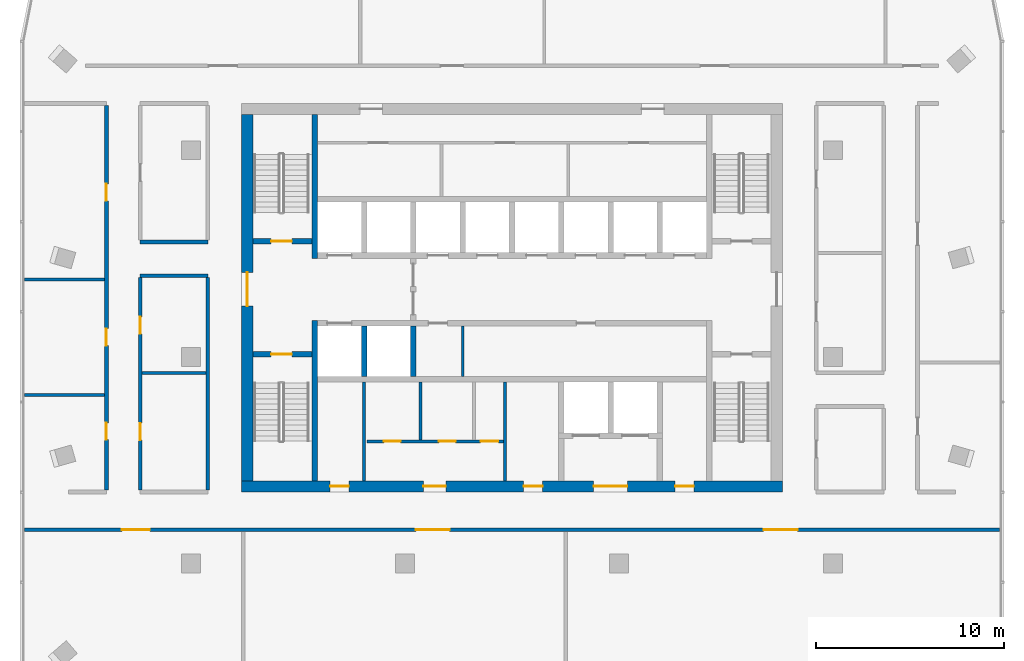
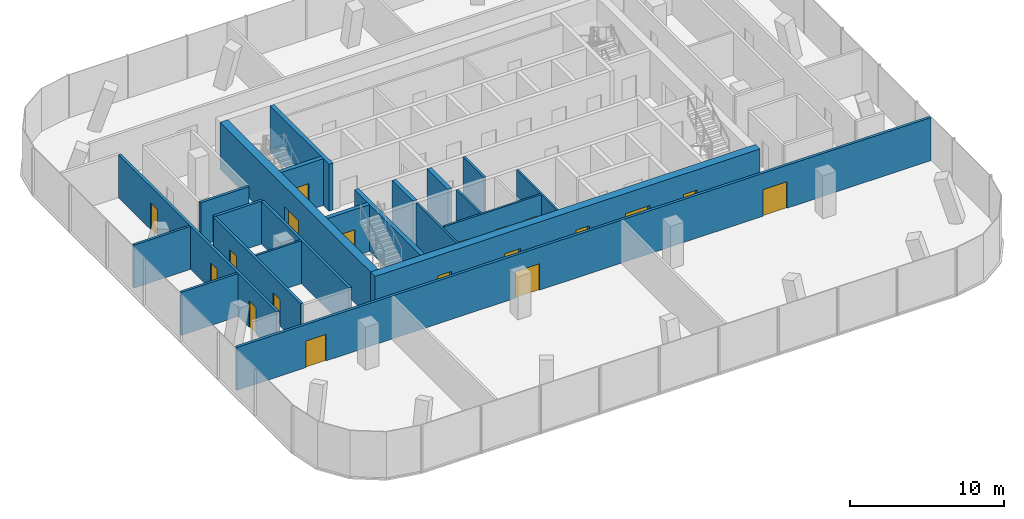
# One storey, part 7 of 11: 22 walls, 19 doors, 19 openings.
"""IFC4 building model written with IfcOpenShell, lengths in metres."""

from ifc_helpers import new_model, si_unit, direction, frame, frame_2d, origin, place, context, subcontext, project, spatial, rectangle, extrude, material, layer, layer_set, type_object, element, fill, save


model = new_model("IFC4")

# Units and contexts
model_context = context("Model", 3, precision=1e-05, world=origin(), true_north=direction((0.0, 1.0)))
body_context = subcontext(model_context, "Body", "Model", "MODEL_VIEW")
ifc_project = project(units=[si_unit("LENGTHUNIT", "METRE"), si_unit("AREAUNIT", "SQUARE_METRE"), si_unit("VOLUMEUNIT", "CUBIC_METRE"), si_unit("PLANEANGLEUNIT", "RADIAN"), si_unit("MASSUNIT", "GRAM", prefix="KILO")], contexts=[model_context])

# Site, building, storey
site_placement = place(None, origin())
site = spatial("IfcSite", under=ifc_project, at=site_placement, CompositionType="ELEMENT")
building_placement = place(site_placement, origin())
building = spatial("IfcBuilding", under=site, at=building_placement, Name="Mopane Tessera Tower", CompositionType="ELEMENT")
storey_placement = place(building_placement, frame((0.0, 0.0, 333.39990234375)))
storey = spatial("IfcBuildingStorey", under=building, at=storey_placement, Name="L73", CompositionType="ELEMENT", Elevation=333.39990234375)

# Wall
ifc_material_1 = material(Name="Fire-rated gypsum board partition")
ifc_layer_1 = layer(ifc_material_1, 0.14990234375)
ifc_layer_set_1 = layer_set([ifc_layer_1], Name="Fire-rated gypsum board partition")
wall_type_1 = type_object("IfcWallType", Name="Core room partition 150 mm", PredefinedType="PARTITIONING", material=ifc_layer_set_1)
wall_1_placement = place(storey_placement, frame((-7.875, -6.60009765625, 0.0), z_axis=(0.0, 0.0, 1.0), x_axis=(0.0, 1.0, 0.0)))
element("IfcWall", 1, at=wall_1_placement, inside=storey, type_object=wall_type_1, Name="L73 Room partition", PredefinedType="PARTITIONING", context=body_context, shape_type="SweptSolid", body=[
    extrude(rectangle(XDim=5.25, YDim=0.14990234375, at=frame_2d((2.625, 0.0))), origin(), (0.0, 0.0, 1.0), 3.7001953125),
])

# Wall, openings, doors
wall_2_placement = place(storey_placement, frame((-7.72509765625, -4.5, 0.0), z_axis=(0.0, 0.0, 1.0), x_axis=(1.0, 0.0, 0.0)))
wall_2 = element("IfcWall", 2, at=wall_2_placement, inside=storey, type_object=wall_type_1, Name="L73 WC partition", PredefinedType="PARTITIONING", context=body_context, shape_type="SweptSolid", body=[
    extrude(rectangle(XDim=7.275146484375, YDim=0.14990234375, at=frame_2d((3.6376953125, 0.0))), origin(), (0.0, 0.0, 1.0), 3.7001953125),
])
opening_1_placement = place(wall_2_placement, frame((0.89990234375, 0.0, 0.0)))
opening_1 = element("IfcOpeningElement", 3, at=opening_1_placement, cuts=wall_2, Name="Opening WD1", PredefinedType="OPENING", context=body_context, shape_type="SweptSolid", body=[
    extrude(rectangle(XDim=0.89990234375, YDim=2.10009765625, at=frame_2d((0.449951171875, 1.050048828125))), frame((0.0, 0.0869140625, 0.0), z_axis=(0.0, -1.0, 0.0), x_axis=(1.0, 0.0, 0.0)), (0.0, 0.0, 1.0), 0.173828125),
])
opening_2_placement = place(wall_2_placement, frame((3.824951171875, 0.0, 0.0)))
opening_2 = element("IfcOpeningElement", 4, at=opening_2_placement, cuts=wall_2, Name="Opening WD1", PredefinedType="OPENING", context=body_context, shape_type="SweptSolid", body=[
    extrude(rectangle(XDim=0.89990234375, YDim=2.10009765625, at=frame_2d((0.449951171875, 1.050048828125))), frame((0.0, 0.0869140625, 0.0), z_axis=(0.0, -1.0, 0.0), x_axis=(1.0, 0.0, 0.0)), (0.0, 0.0, 1.0), 0.173828125),
])
opening_3_placement = place(wall_2_placement, frame((6.050048828125, 0.0, 0.0)))
opening_3 = element("IfcOpeningElement", 5, at=opening_3_placement, cuts=wall_2, Name="Opening WD2", PredefinedType="OPENING", context=body_context, shape_type="SweptSolid", body=[
    extrude(rectangle(XDim=0.949951171875, YDim=2.10009765625, at=frame_2d((0.47509765625, 1.050048828125))), frame((0.0, 0.0869140625, 0.0), z_axis=(0.0, -1.0, 0.0), x_axis=(1.0, 0.0, 0.0)), (0.0, 0.0, 1.0), 0.173828125),
])
ifc_material_2 = material(Name="Timber door", Category="wood")
door_type_1 = type_object("IfcDoorType", Name="Accessible WC door 950 x 2100", OperationType="SINGLE_SWING_LEFT", PredefinedType="DOOR", material=ifc_material_2)
door_1_placement = place(opening_3_placement, origin())
door_1 = element("IfcDoor", 6, at=door_1_placement, inside=storey, type_object=door_type_1, Name="L73 Accessible WC door", OperationType="SINGLE_SWING_LEFT", OverallHeight=2.10009765625, OverallWidth=0.949951171875, PredefinedType="DOOR", context=body_context, shape_type="SweptSolid", body=[
    extrude(rectangle(XDim=0.949951171875, YDim=2.10009765625, at=frame_2d((0.47509765625, 1.050048828125))), frame((0.0, 0.02490234375, 0.0), z_axis=(0.0, -1.0, 0.0), x_axis=(1.0, 0.0, 0.0)), (0.0, 0.0, 1.0), 0.050048828125),
])
fill(opening_3, door_1)
ifc_material_3 = material(Name="Timber door", Category="wood")
door_type_2 = type_object("IfcDoorType", Name="WC cubicle door 900 x 2100", OperationType="SINGLE_SWING_LEFT", PredefinedType="DOOR", material=ifc_material_3)
door_2_placement = place(opening_1_placement, origin())
door_2 = element("IfcDoor", 7, at=door_2_placement, inside=storey, type_object=door_type_2, Name="L73 Men's WC door", OperationType="SINGLE_SWING_LEFT", OverallHeight=2.10009765625, OverallWidth=0.89990234375, PredefinedType="DOOR", context=body_context, shape_type="SweptSolid", body=[
    extrude(rectangle(XDim=0.89990234375, YDim=2.10009765625, at=frame_2d((0.449951171875, 1.050048828125))), frame((0.0, 0.02490234375, 0.0), z_axis=(0.0, -1.0, 0.0), x_axis=(1.0, 0.0, 0.0)), (0.0, 0.0, 1.0), 0.050048828125),
])
fill(opening_1, door_2)
door_3_placement = place(opening_2_placement, origin())
door_3 = element("IfcDoor", 8, at=door_3_placement, inside=storey, type_object=door_type_2, Name="L73 Women's WC door", OperationType="SINGLE_SWING_LEFT", OverallHeight=2.10009765625, OverallWidth=0.89990234375, PredefinedType="DOOR", context=body_context, shape_type="SweptSolid", body=[
    extrude(rectangle(XDim=0.89990234375, YDim=2.10009765625, at=frame_2d((0.449951171875, 1.050048828125))), frame((0.0, 0.02490234375, 0.0), z_axis=(0.0, -1.0, 0.0), x_axis=(1.0, 0.0, 0.0)), (0.0, 0.0, 1.0), 0.050048828125),
])
fill(opening_2, door_3)

# Walls
wall_3_placement = place(storey_placement, frame((-4.875, -4.425048828125, 0.0), z_axis=(0.0, 0.0, 1.0), x_axis=(0.0, 1.0, 0.0)))
element("IfcWall", 9, at=wall_3_placement, inside=storey, type_object=wall_type_1, Name="L73 WC partition", PredefinedType="PARTITIONING", context=body_context, shape_type="SweptSolid", body=[
    extrude(rectangle(XDim=3.074951171875, YDim=0.14990234375, at=frame_2d((1.53759765625, 0.0))), origin(), (0.0, 0.0, 1.0), 3.7001953125),
])
wall_4_placement = place(storey_placement, frame((-0.375, -6.60009765625, 0.0), z_axis=(0.0, 0.0, 1.0), x_axis=(0.0, 1.0, 0.0)))
element("IfcWall", 10, at=wall_4_placement, inside=storey, type_object=wall_type_1, Name="L73 Room partition", PredefinedType="PARTITIONING", context=body_context, shape_type="SweptSolid", body=[
    extrude(rectangle(XDim=5.25, YDim=0.14990234375, at=frame_2d((2.625, 0.0))), origin(), (0.0, 0.0, 1.0), 3.7001953125),
])
wall_5_placement = place(storey_placement, frame((-2.625, -1.050048828125, 0.0), z_axis=(0.0, 0.0, 1.0), x_axis=(0.0, 1.0, 0.0)))
element("IfcWall", 11, at=wall_5_placement, inside=storey, type_object=wall_type_1, Name="L73 Room partition", PredefinedType="PARTITIONING", context=body_context, shape_type="SweptSolid", body=[
    extrude(rectangle(XDim=2.699951171875, YDim=0.14990234375, at=frame_2d((1.35009765625, 0.0))), origin(), (0.0, 0.0, 1.0), 3.7001953125),
])

# Wall, openings, doors
ifc_material_4 = material(Name="Concrete C70/85", Category="concrete")
ifc_layer_2 = layer(ifc_material_4, 0.60009765625)
ifc_layer_set_2 = layer_set([ifc_layer_2], Name="Concrete C70/85")
wall_type_2 = type_object("IfcWallType", Name="Core shear wall 600 mm", PredefinedType="SHEAR", material=ifc_layer_set_2)
wall_6_placement = place(storey_placement, frame((-14.39990234375, -6.89990234375, 0.0), z_axis=(0.0, 0.0, 1.0), x_axis=(1.0, 0.0, 0.0)))
wall_6 = element("IfcWall", 12, at=wall_6_placement, inside=storey, type_object=wall_type_2, Name="L73 Core wall south", PredefinedType="SHEAR", context=body_context, shape_type="SweptSolid", body=[
    extrude(rectangle(XDim=28.7998046875, YDim=0.60009765625, at=frame_2d((14.39990234375, 0.0))), origin(), (0.0, 0.0, 1.0), 3.7001953125),
])
opening_4_placement = place(wall_6_placement, frame((4.71240234375, 0.0, 0.0)))
opening_4 = element("IfcOpeningElement", 13, at=opening_4_placement, cuts=wall_6, Name="Opening RD1", PredefinedType="OPENING", context=body_context, shape_type="SweptSolid", body=[
    extrude(rectangle(XDim=1.0, YDim=2.10009765625, at=frame_2d((0.5, 1.050048828125))), frame((0.0, 0.31201171875, 0.0), z_axis=(0.0, -1.0, 0.0), x_axis=(1.0, 0.0, 0.0)), (0.0, 0.0, 1.0), 0.6240234375),
])
opening_5_placement = place(wall_6_placement, frame((9.675048828125, 0.0, 0.0)))
opening_5 = element("IfcOpeningElement", 14, at=opening_5_placement, cuts=wall_6, Name="Opening WD3", PredefinedType="OPENING", context=body_context, shape_type="SweptSolid", body=[
    extrude(rectangle(XDim=1.199951171875, YDim=2.10009765625, at=frame_2d((0.60009765625, 1.050048828125))), frame((0.0, 0.31201171875, 0.0), z_axis=(0.0, -1.0, 0.0), x_axis=(1.0, 0.0, 0.0)), (0.0, 0.0, 1.0), 0.6240234375),
])
opening_6_placement = place(wall_6_placement, frame((15.02490234375, 0.0, 0.0)))
opening_6 = element("IfcOpeningElement", 15, at=opening_6_placement, cuts=wall_6, Name="Opening RD1", PredefinedType="OPENING", context=body_context, shape_type="SweptSolid", body=[
    extrude(rectangle(XDim=1.0, YDim=2.10009765625, at=frame_2d((0.5, 1.050048828125))), frame((0.0, 0.31201171875, 0.0), z_axis=(0.0, -1.0, 0.0), x_axis=(1.0, 0.0, 0.0)), (0.0, 0.0, 1.0), 0.6240234375),
])
opening_7_placement = place(wall_6_placement, frame((18.75, 0.0, 0.0)))
opening_7 = element("IfcOpeningElement", 16, at=opening_7_placement, cuts=wall_6, Name="Opening SD2", PredefinedType="OPENING", context=body_context, shape_type="SweptSolid", body=[
    extrude(rectangle(XDim=1.800048828125, YDim=2.10009765625, at=frame_2d((0.89990234375, 1.050048828125))), frame((0.0, 0.31201171875, 0.0), z_axis=(0.0, -1.0, 0.0), x_axis=(1.0, 0.0, 0.0)), (0.0, 0.0, 1.0), 0.6240234375),
])
opening_8_placement = place(wall_6_placement, frame((23.08740234375, 0.0, 0.0)))
opening_8 = element("IfcOpeningElement", 17, at=opening_8_placement, cuts=wall_6, Name="Opening RD1", PredefinedType="OPENING", context=body_context, shape_type="SweptSolid", body=[
    extrude(rectangle(XDim=1.0, YDim=2.10009765625, at=frame_2d((0.5, 1.050048828125))), frame((0.0, 0.31201171875, 0.0), z_axis=(0.0, -1.0, 0.0), x_axis=(1.0, 0.0, 0.0)), (0.0, 0.0, 1.0), 0.6240234375),
])
ifc_material_5 = material(Name="Steel fire door", Category="steel")
door_type_3 = type_object("IfcDoorType", Name="Core entrance double door 1800 x 2100", OperationType="DOUBLE_DOOR_SINGLE_SWING", PredefinedType="DOOR", material=ifc_material_5)
door_4_placement = place(opening_7_placement, origin())
door_4 = element("IfcDoor", 18, at=door_4_placement, inside=storey, type_object=door_type_3, Name="L73 Service lobby door", OperationType="DOUBLE_DOOR_SINGLE_SWING", OverallHeight=2.10009765625, OverallWidth=1.800048828125, PredefinedType="DOOR", context=body_context, shape_type="SweptSolid", body=[
    extrude(rectangle(XDim=1.800048828125, YDim=2.10009765625, at=frame_2d((0.89990234375, 1.050048828125))), frame((0.0, 0.02490234375, 0.0), z_axis=(0.0, -1.0, 0.0), x_axis=(1.0, 0.0, 0.0)), (0.0, 0.0, 1.0), 0.050048828125),
])
fill(opening_7, door_4)
ifc_material_6 = material(Name="Timber door", Category="wood")
door_type_4 = type_object("IfcDoorType", Name="Core room door 1000 x 2100", OperationType="SINGLE_SWING_LEFT", PredefinedType="DOOR", material=ifc_material_6)
door_5_placement = place(opening_4_placement, origin())
door_5 = element("IfcDoor", 19, at=door_5_placement, inside=storey, type_object=door_type_4, Name="L73 Room door", OperationType="SINGLE_SWING_LEFT", OverallHeight=2.10009765625, OverallWidth=1.0, PredefinedType="DOOR", context=body_context, shape_type="SweptSolid", body=[
    extrude(rectangle(XDim=1.0, YDim=2.10009765625, at=frame_2d((0.5, 1.050048828125))), frame((0.0, 0.02490234375, 0.0), z_axis=(0.0, -1.0, 0.0), x_axis=(1.0, 0.0, 0.0)), (0.0, 0.0, 1.0), 0.050048828125),
])
fill(opening_4, door_5)
door_6_placement = place(opening_6_placement, origin())
door_6 = element("IfcDoor", 20, at=door_6_placement, inside=storey, type_object=door_type_4, Name="L73 Room door", OperationType="SINGLE_SWING_LEFT", OverallHeight=2.10009765625, OverallWidth=1.0, PredefinedType="DOOR", context=body_context, shape_type="SweptSolid", body=[
    extrude(rectangle(XDim=1.0, YDim=2.10009765625, at=frame_2d((0.5, 1.050048828125))), frame((0.0, 0.02490234375, 0.0), z_axis=(0.0, -1.0, 0.0), x_axis=(1.0, 0.0, 0.0)), (0.0, 0.0, 1.0), 0.050048828125),
])
fill(opening_6, door_6)
door_7_placement = place(opening_8_placement, origin())
door_7 = element("IfcDoor", 21, at=door_7_placement, inside=storey, type_object=door_type_4, Name="L73 Room door", OperationType="SINGLE_SWING_LEFT", OverallHeight=2.10009765625, OverallWidth=1.0, PredefinedType="DOOR", context=body_context, shape_type="SweptSolid", body=[
    extrude(rectangle(XDim=1.0, YDim=2.10009765625, at=frame_2d((0.5, 1.050048828125))), frame((0.0, 0.02490234375, 0.0), z_axis=(0.0, -1.0, 0.0), x_axis=(1.0, 0.0, 0.0)), (0.0, 0.0, 1.0), 0.050048828125),
])
fill(opening_8, door_7)
ifc_material_7 = material(Name="Timber door", Category="wood")
door_type_5 = type_object("IfcDoorType", Name="WC lobby door 1200 x 2100", OperationType="SINGLE_SWING_LEFT", PredefinedType="DOOR", material=ifc_material_7)
door_8_placement = place(opening_5_placement, origin())
door_8 = element("IfcDoor", 22, at=door_8_placement, inside=storey, type_object=door_type_5, Name="L73 WC lobby door", OperationType="SINGLE_SWING_LEFT", OverallHeight=2.10009765625, OverallWidth=1.199951171875, PredefinedType="DOOR", context=body_context, shape_type="SweptSolid", body=[
    extrude(rectangle(XDim=1.199951171875, YDim=2.10009765625, at=frame_2d((0.60009765625, 1.050048828125))), frame((0.0, 0.02490234375, 0.0), z_axis=(0.0, -1.0, 0.0), x_axis=(1.0, 0.0, 0.0)), (0.0, 0.0, 1.0), 0.050048828125),
])
fill(opening_5, door_8)

# Wall, opening, door
wall_7_placement = place(storey_placement, frame((-14.10009765625, -6.60009765625, 0.0), z_axis=(0.0, 0.0, 1.0), x_axis=(0.0, 1.0, 0.0)))
wall_7 = element("IfcWall", 23, at=wall_7_placement, inside=storey, type_object=wall_type_2, Name="L73 Core wall west", PredefinedType="SHEAR", context=body_context, shape_type="SweptSolid", body=[
    extrude(rectangle(XDim=19.5, YDim=0.60009765625, at=frame_2d((9.75, 0.0))), origin(), (0.0, 0.0, 1.0), 3.7001953125),
])
opening_9_placement = place(wall_7_placement, frame((9.300048828125, 0.0, 0.0)))
opening_9 = element("IfcOpeningElement", 24, at=opening_9_placement, cuts=wall_7, Name="Opening SD2", PredefinedType="OPENING", context=body_context, shape_type="SweptSolid", body=[
    extrude(rectangle(XDim=1.800048828125, YDim=2.10009765625, at=frame_2d((0.89990234375, 1.050048828125))), frame((0.0, 0.31201171875, 0.0), z_axis=(0.0, -1.0, 0.0), x_axis=(1.0, 0.0, 0.0)), (0.0, 0.0, 1.0), 0.6240234375),
])
door_9_placement = place(opening_9_placement, origin())
door_9 = element("IfcDoor", 25, at=door_9_placement, inside=storey, type_object=door_type_3, Name="L73 Core entrance door west", OperationType="DOUBLE_DOOR_SINGLE_SWING", OverallHeight=2.10009765625, OverallWidth=1.800048828125, PredefinedType="DOOR", context=body_context, shape_type="SweptSolid", body=[
    extrude(rectangle(XDim=1.800048828125, YDim=2.10009765625, at=frame_2d((0.89990234375, 1.050048828125))), frame((0.0, 0.02490234375, 0.0), z_axis=(0.0, -1.0, 0.0), x_axis=(1.0, 0.0, 0.0)), (0.0, 0.0, 1.0), 0.050048828125),
])
fill(opening_9, door_9)

# Walls
ifc_material_8 = material(Name="Concrete C60/75", Category="concrete")
ifc_layer_3 = layer(ifc_material_8, 0.300048828125)
ifc_layer_set_3 = layer_set([ifc_layer_3], Name="Concrete C60/75")
wall_type_3 = type_object("IfcWallType", Name="Core spine wall 300 mm", PredefinedType="SHEAR", material=ifc_layer_set_3)
wall_8_placement = place(storey_placement, frame((-10.5, -6.60009765625, 0.0), z_axis=(0.0, 0.0, 1.0), x_axis=(0.0, 1.0, 0.0)))
element("IfcWall", 26, at=wall_8_placement, inside=storey, type_object=wall_type_3, Name="L73 Core spine wall", PredefinedType="SHEAR", context=body_context, shape_type="SweptSolid", body=[
    extrude(rectangle(XDim=8.550048828125, YDim=0.300048828125, at=frame_2d((4.27490234375, 0.0))), origin(), (0.0, 0.0, 1.0), 3.7001953125),
])
wall_9_placement = place(storey_placement, frame((-10.5, 5.25, 0.0), z_axis=(0.0, 0.0, 1.0), x_axis=(0.0, 1.0, 0.0)))
element("IfcWall", 27, at=wall_9_placement, inside=storey, type_object=wall_type_3, Name="L73 Core spine wall", PredefinedType="SHEAR", context=body_context, shape_type="SweptSolid", body=[
    extrude(rectangle(XDim=7.64990234375, YDim=0.300048828125, at=frame_2d((3.824951171875, 0.0))), origin(), (0.0, 0.0, 1.0), 3.7001953125),
])
ifc_material_9 = material(Name="Gypsum board on staggered steel studs, double layer each face, acoustic mineral wool infill", Category="steel")
ifc_layer_4 = layer(ifc_material_9, 0.175048828125)
ifc_layer_set_4 = layer_set([ifc_layer_4], Name="Gypsum board on staggered steel studs, double layer each face, acoustic mineral wool infill")
wall_type_4 = type_object("IfcWallType", Name="Gypsum board acoustic partition 175, rated EI 60", PredefinedType="PARTITIONING", material=ifc_layer_set_4)
for number, where, z_axis, x_axis, name in (
    (28, (-25.949951171875, -2.02490234375, 0.0), (0.0, 0.0, 1.0), (1.0, 0.0, 0.0), "Partition L73:006"),
    (29, (-25.949951171875, 4.125, 0.0), (0.0, 0.0, 1.0), (1.0, 0.0, 0.0), "Partition L73:010"),
):
    element("IfcWall", number, at=place(storey_placement, frame(where, z_axis=z_axis, x_axis=x_axis)), inside=storey, type_object=wall_type_4, Name=name, PredefinedType="PARTITIONING", context=body_context, shape_type="SweptSolid", body=[
        extrude(rectangle(XDim=4.25, YDim=0.175048828125, at=frame_2d((2.125, 0.0))), origin(), (0.0, 0.0, 1.0), 3.400146484375),
    ])

# Wall, openings, doors
ifc_material_10 = material(Name="Gypsum board on steel studs, two layers each face, mineral wool infill", Category="steel")
ifc_layer_5 = layer(ifc_material_10, 0.199951171875)
ifc_layer_set_5 = layer_set([ifc_layer_5], Name="Gypsum board on steel studs, two layers each face, mineral wool infill")
wall_type_5 = type_object("IfcWallType", Name="Gypsum board corridor wall 200, rated EI 60", PredefinedType="PARTITIONING", material=ifc_layer_set_5)
wall_10_placement = place(storey_placement, frame((-25.949951171875, -9.199951171875, 0.0), z_axis=(0.0, 0.0, 1.0), x_axis=(1.0, 0.0, 0.0)))
wall_10 = element("IfcWall", 30, at=wall_10_placement, inside=storey, type_object=wall_type_5, Name="Partition L73:000", PredefinedType="PARTITIONING", context=body_context, shape_type="SweptSolid", body=[
    extrude(rectangle(XDim=51.89990234375, YDim=0.199951171875, at=frame_2d((25.949951171875, 0.0))), origin(), (0.0, 0.0, 1.0), 3.400146484375),
])
opening_10_placement = place(wall_10_placement, frame((39.35498046875, 0.0, 0.0)))
opening_10 = element("IfcOpeningElement", 31, at=opening_10_placement, cuts=wall_10, Name="Opening L73-07", PredefinedType="OPENING", context=body_context, shape_type="SweptSolid", body=[
    extrude(rectangle(XDim=1.800048828125, YDim=2.10009765625, at=frame_2d((0.89990234375, 1.050048828125))), frame((0.0, 0.112060546875, 0.0), z_axis=(0.0, -1.0, 0.0), x_axis=(1.0, 0.0, 0.0)), (0.0, 0.0, 1.0), 0.223876953125),
])
opening_11_placement = place(wall_10_placement, frame((5.172607421875, 0.0, 0.0)))
opening_11 = element("IfcOpeningElement", 32, at=opening_11_placement, cuts=wall_10, Name="Opening L73-14", PredefinedType="OPENING", context=body_context, shape_type="SweptSolid", body=[
    extrude(rectangle(XDim=1.5, YDim=2.10009765625, at=frame_2d((0.75, 1.050048828125))), frame((0.0, 0.112060546875, 0.0), z_axis=(0.0, -1.0, 0.0), x_axis=(1.0, 0.0, 0.0)), (0.0, 0.0, 1.0), 0.223876953125),
])
opening_12_placement = place(wall_10_placement, frame((20.827392578125, 0.0, 0.0)))
opening_12 = element("IfcOpeningElement", 33, at=opening_12_placement, cuts=wall_10, Name="Opening L73-18", PredefinedType="OPENING", context=body_context, shape_type="SweptSolid", body=[
    extrude(rectangle(XDim=1.800048828125, YDim=2.10009765625, at=frame_2d((0.89990234375, 1.050048828125))), frame((0.0, 0.112060546875, 0.0), z_axis=(0.0, -1.0, 0.0), x_axis=(1.0, 0.0, 0.0)), (0.0, 0.0, 1.0), 0.223876953125),
])
ifc_material_11 = material(Name="Timber veneered steel-framed fire door", Category="steel")
door_type_6 = type_object("IfcDoorType", Name="Fire door pair FD60 1500 x 2100", OperationType="DOUBLE_DOOR_SINGLE_SWING", PredefinedType="DOOR", material=ifc_material_11)
door_10_placement = place(opening_11_placement, origin())
door_10 = element("IfcDoor", 34, at=door_10_placement, inside=storey, type_object=door_type_6, Name="Door L73-14", ObjectType="D17A", OperationType="DOUBLE_DOOR_SINGLE_SWING", OverallHeight=2.10009765625, OverallWidth=1.5, PredefinedType="DOOR", context=body_context, shape_type="SweptSolid", body=[
    extrude(rectangle(XDim=1.5, YDim=2.10009765625, at=frame_2d((0.75, 1.050048828125))), frame((0.0, 0.02490234375, 0.0), z_axis=(0.0, -1.0, 0.0), x_axis=(1.0, 0.0, 0.0)), (0.0, 0.0, 1.0), 0.050048828125),
])
fill(opening_11, door_10)
ifc_material_12 = material(Name="Timber veneered steel-framed fire door", Category="steel")
door_type_7 = type_object("IfcDoorType", Name="Fire door pair FD60 1800 x 2100", OperationType="DOUBLE_DOOR_SINGLE_SWING", PredefinedType="DOOR", material=ifc_material_12)
door_11_placement = place(opening_10_placement, origin())
door_11 = element("IfcDoor", 35, at=door_11_placement, inside=storey, type_object=door_type_7, Name="Door L73-07", ObjectType="D20A", OperationType="DOUBLE_DOOR_SINGLE_SWING", OverallHeight=2.10009765625, OverallWidth=1.800048828125, PredefinedType="DOOR", context=body_context, shape_type="SweptSolid", body=[
    extrude(rectangle(XDim=1.800048828125, YDim=2.10009765625, at=frame_2d((0.89990234375, 1.050048828125))), frame((0.0, 0.02490234375, 0.0), z_axis=(0.0, -1.0, 0.0), x_axis=(1.0, 0.0, 0.0)), (0.0, 0.0, 1.0), 0.050048828125),
])
fill(opening_10, door_11)
door_12_placement = place(opening_12_placement, origin())
door_12 = element("IfcDoor", 36, at=door_12_placement, inside=storey, type_object=door_type_7, Name="Door L73-18", ObjectType="D20A", OperationType="DOUBLE_DOOR_SINGLE_SWING", OverallHeight=2.10009765625, OverallWidth=1.800048828125, PredefinedType="DOOR", context=body_context, shape_type="SweptSolid", body=[
    extrude(rectangle(XDim=1.800048828125, YDim=2.10009765625, at=frame_2d((0.89990234375, 1.050048828125))), frame((0.0, 0.02490234375, 0.0), z_axis=(0.0, -1.0, 0.0), x_axis=(1.0, 0.0, 0.0)), (0.0, 0.0, 1.0), 0.050048828125),
])
fill(opening_12, door_12)

# Walls
for number, where, z_axis, x_axis, name in (
    (37, (-19.800048828125, 4.320068359375, 0.0), (0.0, 0.0, 1.0), (1.0, 0.0, 0.0), "Partition L73:011"),
    (38, (-19.800048828125, 6.1201171875, 0.0), (0.0, 0.0, 1.0), (1.0, 0.0, 0.0), "Partition L73:013"),
):
    element("IfcWall", number, at=place(storey_placement, frame(where, z_axis=z_axis, x_axis=x_axis)), inside=storey, type_object=wall_type_5, Name=name, PredefinedType="PARTITIONING", context=body_context, shape_type="SweptSolid", body=[
        extrude(rectangle(XDim=3.60009765625, YDim=0.199951171875, at=frame_2d((1.800048828125, 0.0))), origin(), (0.0, 0.0, 1.0), 3.400146484375),
    ])

# Wall, openings, doors
wall_11_placement = place(storey_placement, frame((-21.60009765625, -7.10009765625, 0.0), z_axis=(0.0, 0.0, 1.0), x_axis=(0.0, 1.0, 0.0)))
wall_11 = element("IfcWall", 39, at=wall_11_placement, inside=storey, type_object=wall_type_5, Name="Partition L73:019", PredefinedType="PARTITIONING", context=body_context, shape_type="SweptSolid", body=[
    extrude(rectangle(XDim=20.5, YDim=0.199951171875, at=frame_2d((10.25, 0.0))), origin(), (0.0, 0.0, 1.0), 3.400146484375),
])
opening_13_placement = place(wall_11_placement, frame((15.41259765625, 0.0, 0.0)))
opening_13 = element("IfcOpeningElement", 40, at=opening_13_placement, cuts=wall_11, Name="Opening L73-06", PredefinedType="OPENING", context=body_context, shape_type="SweptSolid", body=[
    extrude(rectangle(XDim=0.89990234375, YDim=2.10009765625, at=frame_2d((0.449951171875, 1.050048828125))), frame((0.0, 0.112060546875, 0.0), z_axis=(0.0, -1.0, 0.0), x_axis=(1.0, 0.0, 0.0)), (0.0, 0.0, 1.0), 0.223876953125),
])
opening_14_placement = place(wall_11_placement, frame((2.6875, 0.0, 0.0)))
opening_14 = element("IfcOpeningElement", 41, at=opening_14_placement, cuts=wall_11, Name="Opening L73-13", PredefinedType="OPENING", context=body_context, shape_type="SweptSolid", body=[
    extrude(rectangle(XDim=0.89990234375, YDim=2.10009765625, at=frame_2d((0.449951171875, 1.050048828125))), frame((0.0, 0.112060546875, 0.0), z_axis=(0.0, -1.0, 0.0), x_axis=(1.0, 0.0, 0.0)), (0.0, 0.0, 1.0), 0.223876953125),
])
opening_15_placement = place(wall_11_placement, frame((7.699951171875, 0.0, 0.0)))
opening_15 = element("IfcOpeningElement", 42, at=opening_15_placement, cuts=wall_11, Name="Opening L73-16", PredefinedType="OPENING", context=body_context, shape_type="SweptSolid", body=[
    extrude(rectangle(XDim=0.89990234375, YDim=2.10009765625, at=frame_2d((0.449951171875, 1.050048828125))), frame((0.0, 0.112060546875, 0.0), z_axis=(0.0, -1.0, 0.0), x_axis=(1.0, 0.0, 0.0)), (0.0, 0.0, 1.0), 0.223876953125),
])
ifc_material_13 = material(Name="Timber veneered steel-framed fire door", Category="steel")
door_type_8 = type_object("IfcDoorType", Name="Fire door FD60 900 x 2100", OperationType="SINGLE_SWING_LEFT", PredefinedType="DOOR", material=ifc_material_13)
door_13_placement = place(opening_13_placement, origin())
door_13 = element("IfcDoor", 43, at=door_13_placement, inside=storey, type_object=door_type_8, Name="Door L73-06", ObjectType="D10A", OperationType="SINGLE_SWING_LEFT", OverallHeight=2.10009765625, OverallWidth=0.89990234375, PredefinedType="DOOR", context=body_context, shape_type="SweptSolid", body=[
    extrude(rectangle(XDim=0.89990234375, YDim=2.10009765625, at=frame_2d((0.449951171875, 1.050048828125))), frame((0.0, 0.02490234375, 0.0), z_axis=(0.0, -1.0, 0.0), x_axis=(1.0, 0.0, 0.0)), (0.0, 0.0, 1.0), 0.050048828125),
])
fill(opening_13, door_13)
door_14_placement = place(opening_14_placement, origin())
door_14 = element("IfcDoor", 44, at=door_14_placement, inside=storey, type_object=door_type_8, Name="Door L73-13", ObjectType="D10A", OperationType="SINGLE_SWING_RIGHT", OverallHeight=2.10009765625, OverallWidth=0.89990234375, PredefinedType="DOOR", context=body_context, shape_type="SweptSolid", body=[
    extrude(rectangle(XDim=0.89990234375, YDim=2.10009765625, at=frame_2d((0.449951171875, 1.050048828125))), frame((0.0, 0.02490234375, 0.0), z_axis=(0.0, -1.0, 0.0), x_axis=(1.0, 0.0, 0.0)), (0.0, 0.0, 1.0), 0.050048828125),
])
fill(opening_14, door_14)
door_15_placement = place(opening_15_placement, origin())
door_15 = element("IfcDoor", 45, at=door_15_placement, inside=storey, type_object=door_type_8, Name="Door L73-16", ObjectType="D10A", OperationType="SINGLE_SWING_LEFT", OverallHeight=2.10009765625, OverallWidth=0.89990234375, PredefinedType="DOOR", context=body_context, shape_type="SweptSolid", body=[
    extrude(rectangle(XDim=0.89990234375, YDim=2.10009765625, at=frame_2d((0.449951171875, 1.050048828125))), frame((0.0, 0.02490234375, 0.0), z_axis=(0.0, -1.0, 0.0), x_axis=(1.0, 0.0, 0.0)), (0.0, 0.0, 1.0), 0.050048828125),
])
fill(opening_15, door_15)

wall_12_placement = place(storey_placement, frame((-19.800048828125, -7.10009765625, 0.0), z_axis=(0.0, 0.0, 1.0), x_axis=(0.0, 1.0, 0.0)))
wall_12 = element("IfcWall", 46, at=wall_12_placement, inside=storey, type_object=wall_type_5, Name="Partition L73:020", PredefinedType="PARTITIONING", context=body_context, shape_type="SweptSolid", body=[
    extrude(rectangle(XDim=11.320068359375, YDim=0.199951171875, at=frame_2d((5.66015625, 0.0))), origin(), (0.0, 0.0, 1.0), 3.400146484375),
])
opening_16_placement = place(wall_12_placement, frame((2.66748046875, 0.0, 0.0)))
opening_16 = element("IfcOpeningElement", 47, at=opening_16_placement, cuts=wall_12, Name="Opening L73-04", PredefinedType="OPENING", context=body_context, shape_type="SweptSolid", body=[
    extrude(rectangle(XDim=0.89990234375, YDim=2.10009765625, at=frame_2d((0.449951171875, 1.050048828125))), frame((0.0, 0.112060546875, 0.0), z_axis=(0.0, -1.0, 0.0), x_axis=(1.0, 0.0, 0.0)), (0.0, 0.0, 1.0), 0.223876953125),
])
opening_17_placement = place(wall_12_placement, frame((8.327392578125, 0.0, 0.0)))
opening_17 = element("IfcOpeningElement", 48, at=opening_17_placement, cuts=wall_12, Name="Opening L73-08", PredefinedType="OPENING", context=body_context, shape_type="SweptSolid", body=[
    extrude(rectangle(XDim=0.89990234375, YDim=2.10009765625, at=frame_2d((0.449951171875, 1.050048828125))), frame((0.0, 0.112060546875, 0.0), z_axis=(0.0, -1.0, 0.0), x_axis=(1.0, 0.0, 0.0)), (0.0, 0.0, 1.0), 0.223876953125),
])
door_16_placement = place(opening_16_placement, origin())
door_16 = element("IfcDoor", 49, at=door_16_placement, inside=storey, type_object=door_type_8, Name="Door L73-04", ObjectType="D10A", OperationType="SINGLE_SWING_RIGHT", OverallHeight=2.10009765625, OverallWidth=0.89990234375, PredefinedType="DOOR", context=body_context, shape_type="SweptSolid", body=[
    extrude(rectangle(XDim=0.89990234375, YDim=2.10009765625, at=frame_2d((0.449951171875, 1.050048828125))), frame((0.0, 0.02490234375, 0.0), z_axis=(0.0, -1.0, 0.0), x_axis=(1.0, 0.0, 0.0)), (0.0, 0.0, 1.0), 0.050048828125),
])
fill(opening_16, door_16)
door_17_placement = place(opening_17_placement, origin())
door_17 = element("IfcDoor", 50, at=door_17_placement, inside=storey, type_object=door_type_8, Name="Door L73-08", ObjectType="D10A", OperationType="SINGLE_SWING_RIGHT", OverallHeight=2.10009765625, OverallWidth=0.89990234375, PredefinedType="DOOR", context=body_context, shape_type="SweptSolid", body=[
    extrude(rectangle(XDim=0.89990234375, YDim=2.10009765625, at=frame_2d((0.449951171875, 1.050048828125))), frame((0.0, 0.02490234375, 0.0), z_axis=(0.0, -1.0, 0.0), x_axis=(1.0, 0.0, 0.0)), (0.0, 0.0, 1.0), 0.050048828125),
])
fill(opening_17, door_17)

# Walls
wall_13_placement = place(storey_placement, frame((-16.199951171875, -7.10009765625, 0.0), z_axis=(0.0, 0.0, 1.0), x_axis=(0.0, 1.0, 0.0)))
element("IfcWall", 51, at=wall_13_placement, inside=storey, type_object=wall_type_5, Name="Partition L73:022", PredefinedType="PARTITIONING", context=body_context, shape_type="SweptSolid", body=[
    extrude(rectangle(XDim=11.320068359375, YDim=0.199951171875, at=frame_2d((5.66015625, 0.0))), origin(), (0.0, 0.0, 1.0), 3.400146484375),
])
ifc_material_14 = material(Name="Gypsum board on steel studs, mineral wool infill", Category="steel")
ifc_layer_6 = layer(ifc_material_14, 0.14990234375)
ifc_layer_set_6 = layer_set([ifc_layer_6], Name="Gypsum board on steel studs, mineral wool infill")
wall_type_6 = type_object("IfcWallType", Name="Gypsum board partition 150, rated EI 60", PredefinedType="PARTITIONING", material=ifc_layer_set_6)
wall_14_placement = place(storey_placement, frame((-19.699951171875, -0.864990234375, 0.0), z_axis=(0.0, 0.0, 1.0), x_axis=(1.0, 0.0, 0.0)))
element("IfcWall", 52, at=wall_14_placement, inside=storey, type_object=wall_type_6, Name="Partition L73:007", PredefinedType="PARTITIONING", context=body_context, shape_type="SweptSolid", body=[
    extrude(rectangle(XDim=3.39990234375, YDim=0.14990234375, at=frame_2d((1.699951171875, 0.0))), origin(), (0.0, 0.0, 1.0), 3.400146484375),
])

# Wall, opening, door
ifc_material_15 = material(Name="Concrete C50/60", Category="concrete")
ifc_layer_7 = layer(ifc_material_15, 0.300048828125)
ifc_layer_set_7 = layer_set([ifc_layer_7], Name="Concrete C50/60")
wall_type_7 = type_object("IfcWallType", Name="Lift and stair shaft wall 300 mm", PredefinedType="SOLIDWALL", material=ifc_layer_set_7)
wall_15_placement = place(storey_placement, frame((-13.800048828125, 0.14990234375, 0.0), z_axis=(0.0, 0.0, 1.0), x_axis=(1.0, 0.0, 0.0)))
wall_15 = element("IfcWall", 53, at=wall_15_placement, inside=storey, type_object=wall_type_7, Name="L73 Stair enclosure wall", PredefinedType="SOLIDWALL", context=body_context, shape_type="SweptSolid", body=[
    extrude(rectangle(XDim=3.150146484375, YDim=0.300048828125, at=frame_2d((1.5751953125, 0.0))), origin(), (0.0, 0.0, 1.0), 3.7001953125),
])
opening_18_placement = place(wall_15_placement, frame((0.97509765625, 0.0, 0.0)))
opening_18 = element("IfcOpeningElement", 54, at=opening_18_placement, cuts=wall_15, Name="Opening SD1", PredefinedType="OPENING", context=body_context, shape_type="SweptSolid", body=[
    extrude(rectangle(XDim=1.10009765625, YDim=2.10009765625, at=frame_2d((0.550048828125, 1.050048828125))), frame((0.0, 0.162109375, 0.0), z_axis=(0.0, -1.0, 0.0), x_axis=(1.0, 0.0, 0.0)), (0.0, 0.0, 1.0), 0.323974609375),
])
ifc_material_16 = material(Name="Steel fire door", Category="steel")
door_type_9 = type_object("IfcDoorType", Name="Stair fire door 1100 x 2100", OperationType="SINGLE_SWING_LEFT", PredefinedType="DOOR", material=ifc_material_16)
door_18_placement = place(opening_18_placement, origin())
door_18 = element("IfcDoor", 55, at=door_18_placement, inside=storey, type_object=door_type_9, Name="L73 Stair door ST1", OperationType="SINGLE_SWING_LEFT", OverallHeight=2.10009765625, OverallWidth=1.10009765625, PredefinedType="DOOR", context=body_context, shape_type="SweptSolid", body=[
    extrude(rectangle(XDim=1.10009765625, YDim=2.10009765625, at=frame_2d((0.550048828125, 1.050048828125))), frame((0.0, 0.02490234375, 0.0), z_axis=(0.0, -1.0, 0.0), x_axis=(1.0, 0.0, 0.0)), (0.0, 0.0, 1.0), 0.050048828125),
])
fill(opening_18, door_18)

wall_16_placement = place(storey_placement, frame((-13.800048828125, 6.14990234375, 0.0), z_axis=(0.0, 0.0, 1.0), x_axis=(1.0, 0.0, 0.0)))
wall_16 = element("IfcWall", 56, at=wall_16_placement, inside=storey, type_object=wall_type_7, Name="L73 Stair enclosure wall", PredefinedType="SOLIDWALL", context=body_context, shape_type="SweptSolid", body=[
    extrude(rectangle(XDim=3.150146484375, YDim=0.300048828125, at=frame_2d((1.5751953125, 0.0))), origin(), (0.0, 0.0, 1.0), 3.7001953125),
])
opening_19_placement = place(wall_16_placement, frame((0.97509765625, 0.0, 0.0)))
opening_19 = element("IfcOpeningElement", 57, at=opening_19_placement, cuts=wall_16, Name="Opening SD1", PredefinedType="OPENING", context=body_context, shape_type="SweptSolid", body=[
    extrude(rectangle(XDim=1.10009765625, YDim=2.10009765625, at=frame_2d((0.550048828125, 1.050048828125))), frame((0.0, 0.162109375, 0.0), z_axis=(0.0, -1.0, 0.0), x_axis=(1.0, 0.0, 0.0)), (0.0, 0.0, 1.0), 0.323974609375),
])
door_19_placement = place(opening_19_placement, origin())
door_19 = element("IfcDoor", 58, at=door_19_placement, inside=storey, type_object=door_type_9, Name="L73 Stair door ST2", OperationType="SINGLE_SWING_LEFT", OverallHeight=2.10009765625, OverallWidth=1.10009765625, PredefinedType="DOOR", context=body_context, shape_type="SweptSolid", body=[
    extrude(rectangle(XDim=1.10009765625, YDim=2.10009765625, at=frame_2d((0.550048828125, 1.050048828125))), frame((0.0, 0.02490234375, 0.0), z_axis=(0.0, -1.0, 0.0), x_axis=(1.0, 0.0, 0.0)), (0.0, 0.0, 1.0), 0.050048828125),
])
fill(opening_19, door_19)

# Walls
for number, where, z_axis, x_axis, name in (
    (59, (-7.875, -1.050048828125, 0.0), (0.0, 0.0, 1.0), (0.0, 1.0, 0.0), "L73 Lift shaft wall"),
    (60, (-5.25, -1.050048828125, 0.0), (0.0, 0.0, 1.0), (0.0, 1.0, 0.0), "L73 Lift shaft wall"),
):
    element("IfcWall", number, at=place(storey_placement, frame(where, z_axis=z_axis, x_axis=x_axis)), inside=storey, type_object=wall_type_7, Name=name, PredefinedType="SOLIDWALL", context=body_context, shape_type="SweptSolid", body=[
        extrude(rectangle(XDim=2.699951171875, YDim=0.300048828125, at=frame_2d((1.35009765625, 0.0))), origin(), (0.0, 0.0, 1.0), 3.7001953125),
    ])

save(model, "model.ifc")
